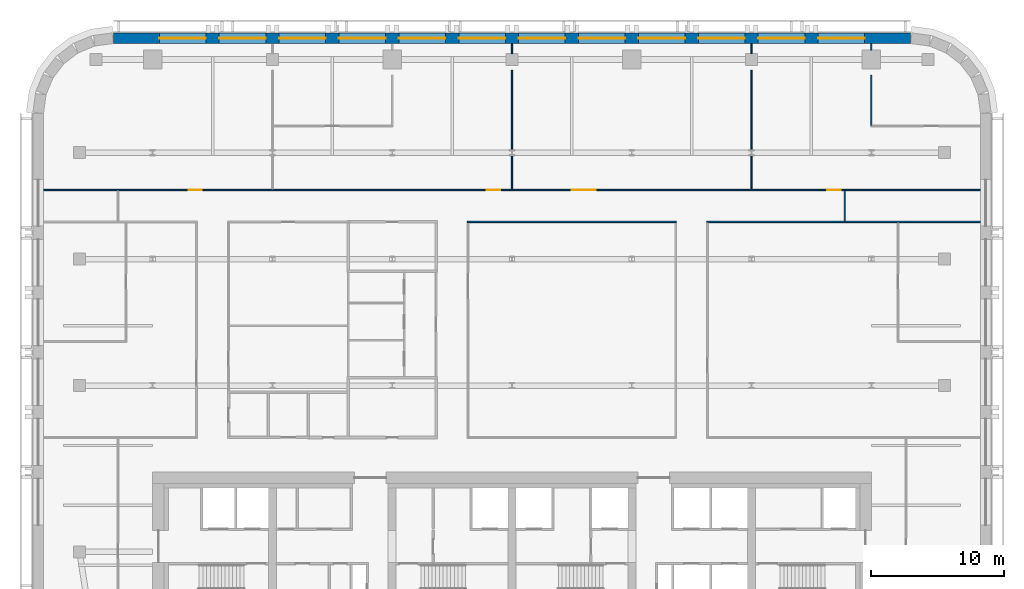
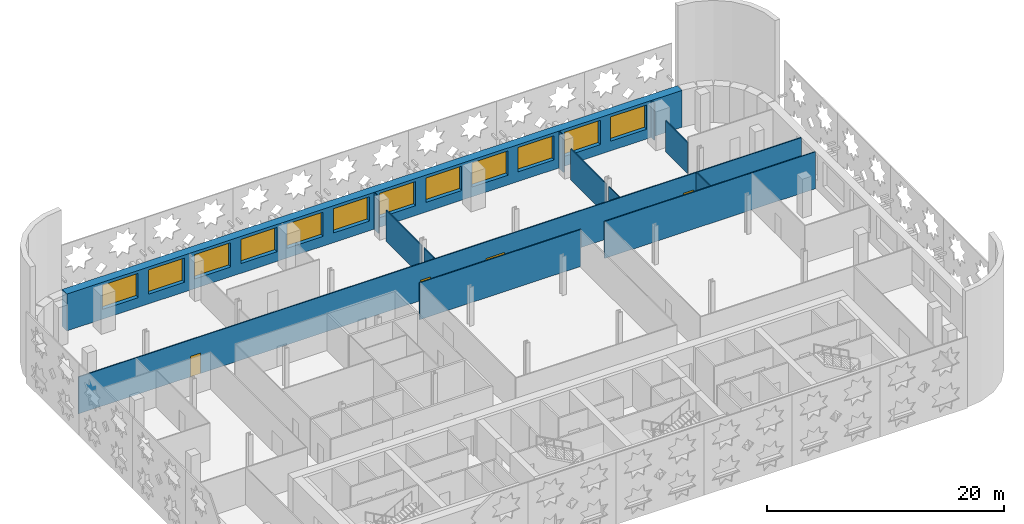
# One storey, part 7 of 14: 13 walls, 12 windows, 4 doors, 16 openings.
"""IFC4 building model written with IfcOpenShell, lengths in metres."""

from ifc_helpers import new_model, si_unit, direction, frame, frame_2d, origin, place, context, subcontext, project, spatial, rectangle, extrude, material, layer, layer_set, type_object, element, fill, save


model = new_model("IFC4")

# Units and contexts
model_context = context("Model", 3, precision=1e-05, world=origin(), true_north=direction((0.0, 1.0)))
body_context = subcontext(model_context, "Body", "Model", "MODEL_VIEW")
ifc_project = project(units=[si_unit("LENGTHUNIT", "METRE"), si_unit("AREAUNIT", "SQUARE_METRE"), si_unit("VOLUMEUNIT", "CUBIC_METRE"), si_unit("PLANEANGLEUNIT", "RADIAN"), si_unit("MASSUNIT", "GRAM", prefix="KILO")], contexts=[model_context])

# Site, building, storey
site_placement = place(None, origin())
site = spatial("IfcSite", under=ifc_project, at=site_placement, CompositionType="ELEMENT")
building_placement = place(site_placement, origin())
building = spatial("IfcBuilding", under=site, at=building_placement, Name="Zellij Exchange Tower", CompositionType="ELEMENT")
storey_placement = place(building_placement, frame((0.0, 0.0, 164.5)))
storey = spatial("IfcBuildingStorey", under=building, at=storey_placement, Name="L37", CompositionType="ELEMENT", Elevation=164.5)

# Wall, openings, windows
ifc_material_1 = material(Name="Precast concrete C40/50", Category="concrete")
ifc_layer_1 = layer(ifc_material_1, 0.800048828125)
ifc_layer_set_1 = layer_set([ifc_layer_1], Name="Precast concrete C40/50")
wall_type_1 = type_object("IfcWallType", Name="ENV-EW1 Precast stone-piered wall 800", PredefinedType="SOLIDWALL", material=ifc_layer_set_1)
wall_1_placement = place(storey_placement, frame((29.947509765625, 30.60009765625, 0.0), z_axis=(0.0, 0.0, 1.0), x_axis=(-1.0, 0.0, 0.0)))
wall_1 = element("IfcWall", 1, at=wall_1_placement, inside=storey, type_object=wall_type_1, Name="fac.L37.14", PredefinedType="SOLIDWALL", context=body_context, shape_type="SweptSolid", body=[
    extrude(rectangle(XDim=59.89501953125, YDim=0.800048828125, at=frame_2d((29.947509765625, 0.0))), origin(), (0.0, 0.0, 1.0), 3.800048828125),
])
opening_1_placement = place(wall_1_placement, frame((3.447509765625, 0.0, 1.0)))
opening_1 = element("IfcOpeningElement", 2, at=opening_1_placement, cuts=wall_1, Name="Opening FZ3.19", PredefinedType="OPENING", context=body_context, shape_type="SweptSolid", body=[
    extrude(rectangle(XDim=3.5, YDim=2.5, at=frame_2d((1.75, 1.25))), frame((0.0, 0.412109375, 0.0), z_axis=(0.0, -1.0, 0.0), x_axis=(1.0, 0.0, 0.0)), (0.0, 0.0, 1.0), 0.823974609375),
])
opening_2_placement = place(wall_1_placement, frame((7.947509765625, 0.0, 1.0)))
opening_2 = element("IfcOpeningElement", 3, at=opening_2_placement, cuts=wall_1, Name="Opening FZ3.20", PredefinedType="OPENING", context=body_context, shape_type="SweptSolid", body=[
    extrude(rectangle(XDim=3.5, YDim=2.5, at=frame_2d((1.75, 1.25))), frame((0.0, 0.412109375, 0.0), z_axis=(0.0, -1.0, 0.0), x_axis=(1.0, 0.0, 0.0)), (0.0, 0.0, 1.0), 0.823974609375),
])
opening_3_placement = place(wall_1_placement, frame((12.447509765625, 0.0, 1.0)))
opening_3 = element("IfcOpeningElement", 4, at=opening_3_placement, cuts=wall_1, Name="Opening FZ3.21", PredefinedType="OPENING", context=body_context, shape_type="SweptSolid", body=[
    extrude(rectangle(XDim=3.5, YDim=2.5, at=frame_2d((1.75, 1.25))), frame((0.0, 0.412109375, 0.0), z_axis=(0.0, -1.0, 0.0), x_axis=(1.0, 0.0, 0.0)), (0.0, 0.0, 1.0), 0.823974609375),
])
opening_4_placement = place(wall_1_placement, frame((16.947509765625, 0.0, 1.0)))
opening_4 = element("IfcOpeningElement", 5, at=opening_4_placement, cuts=wall_1, Name="Opening FZ3.22", PredefinedType="OPENING", context=body_context, shape_type="SweptSolid", body=[
    extrude(rectangle(XDim=3.5, YDim=2.5, at=frame_2d((1.75, 1.25))), frame((0.0, 0.412109375, 0.0), z_axis=(0.0, -1.0, 0.0), x_axis=(1.0, 0.0, 0.0)), (0.0, 0.0, 1.0), 0.823974609375),
])
opening_5_placement = place(wall_1_placement, frame((21.447509765625, 0.0, 1.0)))
opening_5 = element("IfcOpeningElement", 6, at=opening_5_placement, cuts=wall_1, Name="Opening FZ3.23", PredefinedType="OPENING", context=body_context, shape_type="SweptSolid", body=[
    extrude(rectangle(XDim=3.5, YDim=2.5, at=frame_2d((1.75, 1.25))), frame((0.0, 0.412109375, 0.0), z_axis=(0.0, -1.0, 0.0), x_axis=(1.0, 0.0, 0.0)), (0.0, 0.0, 1.0), 0.823974609375),
])
opening_6_placement = place(wall_1_placement, frame((25.947509765625, 0.0, 1.0)))
opening_6 = element("IfcOpeningElement", 7, at=opening_6_placement, cuts=wall_1, Name="Opening FZ3.24", PredefinedType="OPENING", context=body_context, shape_type="SweptSolid", body=[
    extrude(rectangle(XDim=3.5, YDim=2.5, at=frame_2d((1.75, 1.25))), frame((0.0, 0.412109375, 0.0), z_axis=(0.0, -1.0, 0.0), x_axis=(1.0, 0.0, 0.0)), (0.0, 0.0, 1.0), 0.823974609375),
])
opening_7_placement = place(wall_1_placement, frame((30.447509765625, 0.0, 1.0)))
opening_7 = element("IfcOpeningElement", 8, at=opening_7_placement, cuts=wall_1, Name="Opening FZ3.25", PredefinedType="OPENING", context=body_context, shape_type="SweptSolid", body=[
    extrude(rectangle(XDim=3.5, YDim=2.5, at=frame_2d((1.75, 1.25))), frame((0.0, 0.412109375, 0.0), z_axis=(0.0, -1.0, 0.0), x_axis=(1.0, 0.0, 0.0)), (0.0, 0.0, 1.0), 0.823974609375),
])
opening_8_placement = place(wall_1_placement, frame((34.947509765625, 0.0, 1.0)))
opening_8 = element("IfcOpeningElement", 9, at=opening_8_placement, cuts=wall_1, Name="Opening FZ3.26", PredefinedType="OPENING", context=body_context, shape_type="SweptSolid", body=[
    extrude(rectangle(XDim=3.5, YDim=2.5, at=frame_2d((1.75, 1.25))), frame((0.0, 0.412109375, 0.0), z_axis=(0.0, -1.0, 0.0), x_axis=(1.0, 0.0, 0.0)), (0.0, 0.0, 1.0), 0.823974609375),
])
opening_9_placement = place(wall_1_placement, frame((39.447509765625, 0.0, 1.0)))
opening_9 = element("IfcOpeningElement", 10, at=opening_9_placement, cuts=wall_1, Name="Opening FZ3.27", PredefinedType="OPENING", context=body_context, shape_type="SweptSolid", body=[
    extrude(rectangle(XDim=3.5, YDim=2.5, at=frame_2d((1.75, 1.25))), frame((0.0, 0.412109375, 0.0), z_axis=(0.0, -1.0, 0.0), x_axis=(1.0, 0.0, 0.0)), (0.0, 0.0, 1.0), 0.823974609375),
])
opening_10_placement = place(wall_1_placement, frame((43.947509765625, 0.0, 1.0)))
opening_10 = element("IfcOpeningElement", 11, at=opening_10_placement, cuts=wall_1, Name="Opening FZ3.28", PredefinedType="OPENING", context=body_context, shape_type="SweptSolid", body=[
    extrude(rectangle(XDim=3.5, YDim=2.5, at=frame_2d((1.75, 1.25))), frame((0.0, 0.412109375, 0.0), z_axis=(0.0, -1.0, 0.0), x_axis=(1.0, 0.0, 0.0)), (0.0, 0.0, 1.0), 0.823974609375),
])
opening_11_placement = place(wall_1_placement, frame((48.447509765625, 0.0, 1.0)))
opening_11 = element("IfcOpeningElement", 12, at=opening_11_placement, cuts=wall_1, Name="Opening FZ3.29", PredefinedType="OPENING", context=body_context, shape_type="SweptSolid", body=[
    extrude(rectangle(XDim=3.5, YDim=2.5, at=frame_2d((1.75, 1.25))), frame((0.0, 0.412109375, 0.0), z_axis=(0.0, -1.0, 0.0), x_axis=(1.0, 0.0, 0.0)), (0.0, 0.0, 1.0), 0.823974609375),
])
opening_12_placement = place(wall_1_placement, frame((52.947509765625, 0.0, 1.0)))
opening_12 = element("IfcOpeningElement", 13, at=opening_12_placement, cuts=wall_1, Name="Opening FZ3.30", PredefinedType="OPENING", context=body_context, shape_type="SweptSolid", body=[
    extrude(rectangle(XDim=3.5, YDim=2.5, at=frame_2d((1.75, 1.25))), frame((0.0, 0.412109375, 0.0), z_axis=(0.0, -1.0, 0.0), x_axis=(1.0, 0.0, 0.0)), (0.0, 0.0, 1.0), 0.823974609375),
])
ifc_material_2 = material(Name="Aluminium frame with insulating glass", Category="aluminium")
window_type = type_object("IfcWindowType", Name="ENV-W1 Window 3500x2500", PartitioningType="SINGLE_PANEL", PredefinedType="WINDOW", material=ifc_material_2)
window_1_placement = place(opening_1_placement, origin())
window_1 = element("IfcWindow", 14, at=window_1_placement, inside=storey, type_object=window_type, Name="Window FZ3.19", OverallHeight=2.5, OverallWidth=3.5, PartitioningType="SINGLE_PANEL", PredefinedType="WINDOW", context=body_context, shape_type="SweptSolid", body=[
    extrude(rectangle(XDim=3.5, YDim=2.5, at=frame_2d((1.75, 1.25))), frame((0.0, 0.030029296875, 0.0), z_axis=(0.0, -1.0, 0.0), x_axis=(1.0, 0.0, 0.0)), (0.0, 0.0, 1.0), 0.06005859375),
])
fill(opening_1, window_1)
window_2_placement = place(opening_2_placement, origin())
window_2 = element("IfcWindow", 15, at=window_2_placement, inside=storey, type_object=window_type, Name="Window FZ3.20", OverallHeight=2.5, OverallWidth=3.5, PartitioningType="SINGLE_PANEL", PredefinedType="WINDOW", context=body_context, shape_type="SweptSolid", body=[
    extrude(rectangle(XDim=3.5, YDim=2.5, at=frame_2d((1.75, 1.25))), frame((0.0, 0.030029296875, 0.0), z_axis=(0.0, -1.0, 0.0), x_axis=(1.0, 0.0, 0.0)), (0.0, 0.0, 1.0), 0.06005859375),
])
fill(opening_2, window_2)
window_3_placement = place(opening_3_placement, origin())
window_3 = element("IfcWindow", 16, at=window_3_placement, inside=storey, type_object=window_type, Name="Window FZ3.21", OverallHeight=2.5, OverallWidth=3.5, PartitioningType="SINGLE_PANEL", PredefinedType="WINDOW", context=body_context, shape_type="SweptSolid", body=[
    extrude(rectangle(XDim=3.5, YDim=2.5, at=frame_2d((1.75, 1.25))), frame((0.0, 0.030029296875, 0.0), z_axis=(0.0, -1.0, 0.0), x_axis=(1.0, 0.0, 0.0)), (0.0, 0.0, 1.0), 0.06005859375),
])
fill(opening_3, window_3)
window_4_placement = place(opening_4_placement, origin())
window_4 = element("IfcWindow", 17, at=window_4_placement, inside=storey, type_object=window_type, Name="Window FZ3.22", OverallHeight=2.5, OverallWidth=3.5, PartitioningType="SINGLE_PANEL", PredefinedType="WINDOW", context=body_context, shape_type="SweptSolid", body=[
    extrude(rectangle(XDim=3.5, YDim=2.5, at=frame_2d((1.75, 1.25))), frame((0.0, 0.030029296875, 0.0), z_axis=(0.0, -1.0, 0.0), x_axis=(1.0, 0.0, 0.0)), (0.0, 0.0, 1.0), 0.06005859375),
])
fill(opening_4, window_4)
window_5_placement = place(opening_5_placement, origin())
window_5 = element("IfcWindow", 18, at=window_5_placement, inside=storey, type_object=window_type, Name="Window FZ3.23", OverallHeight=2.5, OverallWidth=3.5, PartitioningType="SINGLE_PANEL", PredefinedType="WINDOW", context=body_context, shape_type="SweptSolid", body=[
    extrude(rectangle(XDim=3.5, YDim=2.5, at=frame_2d((1.75, 1.25))), frame((0.0, 0.030029296875, 0.0), z_axis=(0.0, -1.0, 0.0), x_axis=(1.0, 0.0, 0.0)), (0.0, 0.0, 1.0), 0.06005859375),
])
fill(opening_5, window_5)
window_6_placement = place(opening_6_placement, origin())
window_6 = element("IfcWindow", 19, at=window_6_placement, inside=storey, type_object=window_type, Name="Window FZ3.24", OverallHeight=2.5, OverallWidth=3.5, PartitioningType="SINGLE_PANEL", PredefinedType="WINDOW", context=body_context, shape_type="SweptSolid", body=[
    extrude(rectangle(XDim=3.5, YDim=2.5, at=frame_2d((1.75, 1.25))), frame((0.0, 0.030029296875, 0.0), z_axis=(0.0, -1.0, 0.0), x_axis=(1.0, 0.0, 0.0)), (0.0, 0.0, 1.0), 0.06005859375),
])
fill(opening_6, window_6)
window_7_placement = place(opening_7_placement, origin())
window_7 = element("IfcWindow", 20, at=window_7_placement, inside=storey, type_object=window_type, Name="Window FZ3.25", OverallHeight=2.5, OverallWidth=3.5, PartitioningType="SINGLE_PANEL", PredefinedType="WINDOW", context=body_context, shape_type="SweptSolid", body=[
    extrude(rectangle(XDim=3.5, YDim=2.5, at=frame_2d((1.75, 1.25))), frame((0.0, 0.030029296875, 0.0), z_axis=(0.0, -1.0, 0.0), x_axis=(1.0, 0.0, 0.0)), (0.0, 0.0, 1.0), 0.06005859375),
])
fill(opening_7, window_7)
window_8_placement = place(opening_8_placement, origin())
window_8 = element("IfcWindow", 21, at=window_8_placement, inside=storey, type_object=window_type, Name="Window FZ3.26", OverallHeight=2.5, OverallWidth=3.5, PartitioningType="SINGLE_PANEL", PredefinedType="WINDOW", context=body_context, shape_type="SweptSolid", body=[
    extrude(rectangle(XDim=3.5, YDim=2.5, at=frame_2d((1.75, 1.25))), frame((0.0, 0.030029296875, 0.0), z_axis=(0.0, -1.0, 0.0), x_axis=(1.0, 0.0, 0.0)), (0.0, 0.0, 1.0), 0.06005859375),
])
fill(opening_8, window_8)
window_9_placement = place(opening_9_placement, origin())
window_9 = element("IfcWindow", 22, at=window_9_placement, inside=storey, type_object=window_type, Name="Window FZ3.27", OverallHeight=2.5, OverallWidth=3.5, PartitioningType="SINGLE_PANEL", PredefinedType="WINDOW", context=body_context, shape_type="SweptSolid", body=[
    extrude(rectangle(XDim=3.5, YDim=2.5, at=frame_2d((1.75, 1.25))), frame((0.0, 0.030029296875, 0.0), z_axis=(0.0, -1.0, 0.0), x_axis=(1.0, 0.0, 0.0)), (0.0, 0.0, 1.0), 0.06005859375),
])
fill(opening_9, window_9)
window_10_placement = place(opening_10_placement, origin())
window_10 = element("IfcWindow", 23, at=window_10_placement, inside=storey, type_object=window_type, Name="Window FZ3.28", OverallHeight=2.5, OverallWidth=3.5, PartitioningType="SINGLE_PANEL", PredefinedType="WINDOW", context=body_context, shape_type="SweptSolid", body=[
    extrude(rectangle(XDim=3.5, YDim=2.5, at=frame_2d((1.75, 1.25))), frame((0.0, 0.030029296875, 0.0), z_axis=(0.0, -1.0, 0.0), x_axis=(1.0, 0.0, 0.0)), (0.0, 0.0, 1.0), 0.06005859375),
])
fill(opening_10, window_10)
window_11_placement = place(opening_11_placement, origin())
window_11 = element("IfcWindow", 24, at=window_11_placement, inside=storey, type_object=window_type, Name="Window FZ3.29", OverallHeight=2.5, OverallWidth=3.5, PartitioningType="SINGLE_PANEL", PredefinedType="WINDOW", context=body_context, shape_type="SweptSolid", body=[
    extrude(rectangle(XDim=3.5, YDim=2.5, at=frame_2d((1.75, 1.25))), frame((0.0, 0.030029296875, 0.0), z_axis=(0.0, -1.0, 0.0), x_axis=(1.0, 0.0, 0.0)), (0.0, 0.0, 1.0), 0.06005859375),
])
fill(opening_11, window_11)
window_12_placement = place(opening_12_placement, origin())
window_12 = element("IfcWindow", 25, at=window_12_placement, inside=storey, type_object=window_type, Name="Window FZ3.30", OverallHeight=2.5, OverallWidth=3.5, PartitioningType="SINGLE_PANEL", PredefinedType="WINDOW", context=body_context, shape_type="SweptSolid", body=[
    extrude(rectangle(XDim=3.5, YDim=2.5, at=frame_2d((1.75, 1.25))), frame((0.0, 0.030029296875, 0.0), z_axis=(0.0, -1.0, 0.0), x_axis=(1.0, 0.0, 0.0)), (0.0, 0.0, 1.0), 0.06005859375),
])
fill(opening_12, window_12)

# Walls
ifc_material_3 = material(Name="Gypsum board partition on steel studs", Category="steel")
ifc_layer_2 = layer(ifc_material_3, 0.10009765625)
ifc_layer_set_2 = layer_set([ifc_layer_2], Name="Gypsum board partition on steel studs")
wall_type_2 = type_object("IfcWallType", Name="FIT-PARTITION-100", PredefinedType="PARTITIONING", material=ifc_layer_set_2)
wall_2_placement = place(storey_placement, frame((-3.35009765625, 16.800048828125, 0.0), z_axis=(0.0, 0.0, 1.0), x_axis=(1.0, 0.0, 0.0)))
element("IfcWall", 26, at=wall_2_placement, inside=storey, type_object=wall_type_2, Name="FIT-PARTITION-100 038", PredefinedType="PARTITIONING", context=body_context, shape_type="SweptSolid", body=[
    extrude(rectangle(XDim=15.7001953125, YDim=0.10009765625, at=frame_2d((7.85009765625, 0.0))), origin(), (0.0, 0.0, 1.0), 3.800048828125),
])
wall_3_placement = place(storey_placement, frame((14.64990234375, 16.800048828125, 0.0), z_axis=(0.0, 0.0, 1.0), x_axis=(1.0, 0.0, 0.0)))
element("IfcWall", 27, at=wall_3_placement, inside=storey, type_object=wall_type_2, Name="FIT-PARTITION-100 039", PredefinedType="PARTITIONING", context=body_context, shape_type="SweptSolid", body=[
    extrude(rectangle(XDim=20.550048828125, YDim=0.10009765625, at=frame_2d((10.27490234375, 0.0))), origin(), (0.0, 0.0, 1.0), 3.800048828125),
])
wall_4_placement = place(storey_placement, frame((25.0, 16.85009765625, 0.0), z_axis=(0.0, 0.0, 1.0), x_axis=(0.0, 1.0, 0.0)))
element("IfcWall", 28, at=wall_4_placement, inside=storey, type_object=wall_type_2, Name="FIT-PARTITION-100 040", PredefinedType="PARTITIONING", context=body_context, shape_type="SweptSolid", body=[
    extrude(rectangle(XDim=2.2998046875, YDim=0.10009765625, at=frame_2d((1.14990234375, 0.0))), origin(), (0.0, 0.0, 1.0), 3.800048828125),
])

# Wall, openings, doors
wall_5_placement = place(storey_placement, frame((-35.199951171875, 19.199951171875, 0.0), z_axis=(0.0, 0.0, 1.0), x_axis=(1.0, 0.0, 0.0)))
wall_5 = element("IfcWall", 29, at=wall_5_placement, inside=storey, type_object=wall_type_2, Name="FIT-PARTITION-100 041", PredefinedType="PARTITIONING", context=body_context, shape_type="SweptSolid", body=[
    extrude(rectangle(XDim=70.39990234375, YDim=0.10009765625, at=frame_2d((35.199951171875, 0.0))), origin(), (0.0, 0.0, 1.0), 3.800048828125),
])
opening_13_placement = place(wall_5_placement, frame((10.89990234375, 0.0, 0.0)))
opening_13 = element("IfcOpeningElement", 30, at=opening_13_placement, cuts=wall_5, Name="Opening O3A.19", PredefinedType="OPENING", context=body_context, shape_type="SweptSolid", body=[
    extrude(rectangle(XDim=1.0, YDim=2.10009765625, at=frame_2d((0.5, 1.050048828125))), frame((0.0, 0.06201171875, 0.0), z_axis=(0.0, -1.0, 0.0), x_axis=(1.0, 0.0, 0.0)), (0.0, 0.0, 1.0), 0.1240234375),
])
opening_14_placement = place(wall_5_placement, frame((33.300048828125, 0.0, 0.0)))
opening_14 = element("IfcOpeningElement", 31, at=opening_14_placement, cuts=wall_5, Name="Opening O3A.20", PredefinedType="OPENING", context=body_context, shape_type="SweptSolid", body=[
    extrude(rectangle(XDim=1.0, YDim=2.10009765625, at=frame_2d((0.5, 1.050048828125))), frame((0.0, 0.06201171875, 0.0), z_axis=(0.0, -1.0, 0.0), x_axis=(1.0, 0.0, 0.0)), (0.0, 0.0, 1.0), 0.1240234375),
])
opening_15_placement = place(wall_5_placement, frame((39.699951171875, 0.0, 0.0)))
opening_15 = element("IfcOpeningElement", 32, at=opening_15_placement, cuts=wall_5, Name="Opening O3A.21", PredefinedType="OPENING", context=body_context, shape_type="SweptSolid", body=[
    extrude(rectangle(XDim=1.800048828125, YDim=2.10009765625, at=frame_2d((0.89990234375, 1.050048828125))), frame((0.0, 0.06201171875, 0.0), z_axis=(0.0, -1.0, 0.0), x_axis=(1.0, 0.0, 0.0)), (0.0, 0.0, 1.0), 0.1240234375),
])
opening_16_placement = place(wall_5_placement, frame((58.89990234375, 0.0, 0.0)))
opening_16 = element("IfcOpeningElement", 33, at=opening_16_placement, cuts=wall_5, Name="Opening O3A.22", PredefinedType="OPENING", context=body_context, shape_type="SweptSolid", body=[
    extrude(rectangle(XDim=1.0, YDim=2.10009765625, at=frame_2d((0.5, 1.050048828125))), frame((0.0, 0.06201171875, 0.0), z_axis=(0.0, -1.0, 0.0), x_axis=(1.0, 0.0, 0.0)), (0.0, 0.0, 1.0), 0.1240234375),
])
ifc_material_4 = material(Name="Timber door set", Category="wood")
door_type_1 = type_object("IfcDoorType", Name="FIT-D2-WIDE-1000X2100", OperationType="SINGLE_SWING_LEFT", PredefinedType="DOOR", material=ifc_material_4)
door_1_placement = place(opening_13_placement, origin())
door_1 = element("IfcDoor", 34, at=door_1_placement, inside=storey, type_object=door_type_1, Name="Door O3A.19", OperationType="SINGLE_SWING_RIGHT", OverallHeight=2.10009765625, OverallWidth=1.0, PredefinedType="DOOR", context=body_context, shape_type="SweptSolid", body=[
    extrude(rectangle(XDim=1.0, YDim=2.10009765625, at=frame_2d((0.5, 1.050048828125))), frame((0.0, 0.02490234375, 0.0), z_axis=(0.0, -1.0, 0.0), x_axis=(1.0, 0.0, 0.0)), (0.0, 0.0, 1.0), 0.050048828125),
])
fill(opening_13, door_1)
door_2_placement = place(opening_14_placement, origin())
door_2 = element("IfcDoor", 35, at=door_2_placement, inside=storey, type_object=door_type_1, Name="Door O3A.20", OperationType="SINGLE_SWING_LEFT", OverallHeight=2.10009765625, OverallWidth=1.0, PredefinedType="DOOR", context=body_context, shape_type="SweptSolid", body=[
    extrude(rectangle(XDim=1.0, YDim=2.10009765625, at=frame_2d((0.5, 1.050048828125))), frame((0.0, 0.02490234375, 0.0), z_axis=(0.0, -1.0, 0.0), x_axis=(1.0, 0.0, 0.0)), (0.0, 0.0, 1.0), 0.050048828125),
])
fill(opening_14, door_2)
door_3_placement = place(opening_16_placement, origin())
door_3 = element("IfcDoor", 36, at=door_3_placement, inside=storey, type_object=door_type_1, Name="Door O3A.22", OperationType="SINGLE_SWING_LEFT", OverallHeight=2.10009765625, OverallWidth=1.0, PredefinedType="DOOR", context=body_context, shape_type="SweptSolid", body=[
    extrude(rectangle(XDim=1.0, YDim=2.10009765625, at=frame_2d((0.5, 1.050048828125))), frame((0.0, 0.02490234375, 0.0), z_axis=(0.0, -1.0, 0.0), x_axis=(1.0, 0.0, 0.0)), (0.0, 0.0, 1.0), 0.050048828125),
])
fill(opening_16, door_3)
door_type_2 = type_object("IfcDoorType", Name="FIT-D3-DOUBLE-1800X2100", OperationType="DOUBLE_DOOR_SINGLE_SWING", PredefinedType="DOOR", material=ifc_material_4)
door_4_placement = place(opening_15_placement, origin())
door_4 = element("IfcDoor", 37, at=door_4_placement, inside=storey, type_object=door_type_2, Name="Door O3A.21", OperationType="DOUBLE_DOOR_SINGLE_SWING", OverallHeight=2.10009765625, OverallWidth=1.800048828125, PredefinedType="DOOR", context=body_context, shape_type="SweptSolid", body=[
    extrude(rectangle(XDim=1.800048828125, YDim=2.10009765625, at=frame_2d((0.89990234375, 1.050048828125))), frame((0.0, 0.02490234375, 0.0), z_axis=(0.0, -1.0, 0.0), x_axis=(1.0, 0.0, 0.0)), (0.0, 0.0, 1.0), 0.050048828125),
])
fill(opening_15, door_4)

# Walls
wall_6_placement = place(storey_placement, frame((0.0, 19.25, 0.0), z_axis=(0.0, 0.0, 1.0), x_axis=(0.0, 1.0, 0.0)))
element("IfcWall", 38, at=wall_6_placement, inside=storey, type_object=wall_type_2, Name="FIT-PARTITION-100 044", PredefinedType="PARTITIONING", context=body_context, shape_type="SweptSolid", body=[
    extrude(rectangle(XDim=2.537841796875, YDim=0.10009765625, at=frame_2d((1.26904296875, 0.0))), origin(), (0.0, 0.0, 1.0), 3.19287109375),
])
wall_7_placement = place(storey_placement, frame((0.0, 22.212158203125, 0.0), z_axis=(0.0, 0.0, 1.0), x_axis=(0.0, 1.0, 0.0)))
element("IfcWall", 39, at=wall_7_placement, inside=storey, type_object=wall_type_2, Name="FIT-PARTITION-100 045", PredefinedType="PARTITIONING", context=body_context, shape_type="SweptSolid", body=[
    extrude(rectangle(XDim=5.98779296875, YDim=0.10009765625, at=frame_2d((2.993896484375, 0.0))), origin(), (0.0, 0.0, 1.0), 3.19287109375),
])
wall_8_placement = place(storey_placement, frame((18.0, 19.25, 0.0), z_axis=(0.0, 0.0, 1.0), x_axis=(0.0, 1.0, 0.0)))
element("IfcWall", 40, at=wall_8_placement, inside=storey, type_object=wall_type_2, Name="FIT-PARTITION-100 046", PredefinedType="PARTITIONING", context=body_context, shape_type="SweptSolid", body=[
    extrude(rectangle(XDim=2.537841796875, YDim=0.10009765625, at=frame_2d((1.26904296875, 0.0))), origin(), (0.0, 0.0, 1.0), 3.19287109375),
])
wall_9_placement = place(storey_placement, frame((18.0, 22.212158203125, 0.0), z_axis=(0.0, 0.0, 1.0), x_axis=(0.0, 1.0, 0.0)))
element("IfcWall", 41, at=wall_9_placement, inside=storey, type_object=wall_type_2, Name="FIT-PARTITION-100 047", PredefinedType="PARTITIONING", context=body_context, shape_type="SweptSolid", body=[
    extrude(rectangle(XDim=5.98779296875, YDim=0.10009765625, at=frame_2d((2.993896484375, 0.0))), origin(), (0.0, 0.0, 1.0), 3.19287109375),
])
wall_10_placement = place(storey_placement, frame((27.0, 24.050048828125, 0.0), z_axis=(0.0, 0.0, 1.0), x_axis=(0.0, 1.0, 0.0)))
element("IfcWall", 42, at=wall_10_placement, inside=storey, type_object=wall_type_2, Name="FIT-PARTITION-100 051", PredefinedType="PARTITIONING", context=body_context, shape_type="SweptSolid", body=[
    extrude(rectangle(XDim=3.77001953125, YDim=0.10009765625, at=frame_2d((1.885009765625, 0.0))), origin(), (0.0, 0.0, 1.0), 3.19287109375),
])
wall_11_placement = place(storey_placement, frame((27.0, 29.699951171875, 0.0), z_axis=(0.0, 0.0, 1.0), x_axis=(0.0, 1.0, 0.0)))
element("IfcWall", 43, at=wall_11_placement, inside=storey, type_object=wall_type_2, Name="FIT-PARTITION-100 053", PredefinedType="PARTITIONING", context=body_context, shape_type="SweptSolid", body=[
    extrude(rectangle(XDim=0.5, YDim=0.10009765625, at=frame_2d((0.25, 0.0))), origin(), (0.0, 0.0, 1.0), 3.800048828125),
])
for number, where, z_axis, x_axis, name in (
    (44, (0.0, 29.449951171875, 0.0), (0.0, 0.0, 1.0), (0.0, 1.0, 0.0), "FIT-PARTITION-100 055"),
    (45, (18.0, 29.449951171875, 0.0), (0.0, 0.0, 1.0), (0.0, 1.0, 0.0), "FIT-PARTITION-100 056"),
):
    element("IfcWall", number, at=place(storey_placement, frame(where, z_axis=z_axis, x_axis=x_axis)), inside=storey, type_object=wall_type_2, Name=name, PredefinedType="PARTITIONING", context=body_context, shape_type="SweptSolid", body=[
        extrude(rectangle(XDim=0.75, YDim=0.10009765625, at=frame_2d((0.375, 0.0))), origin(), (0.0, 0.0, 1.0), 3.800048828125),
    ])

save(model, "model.ifc")
